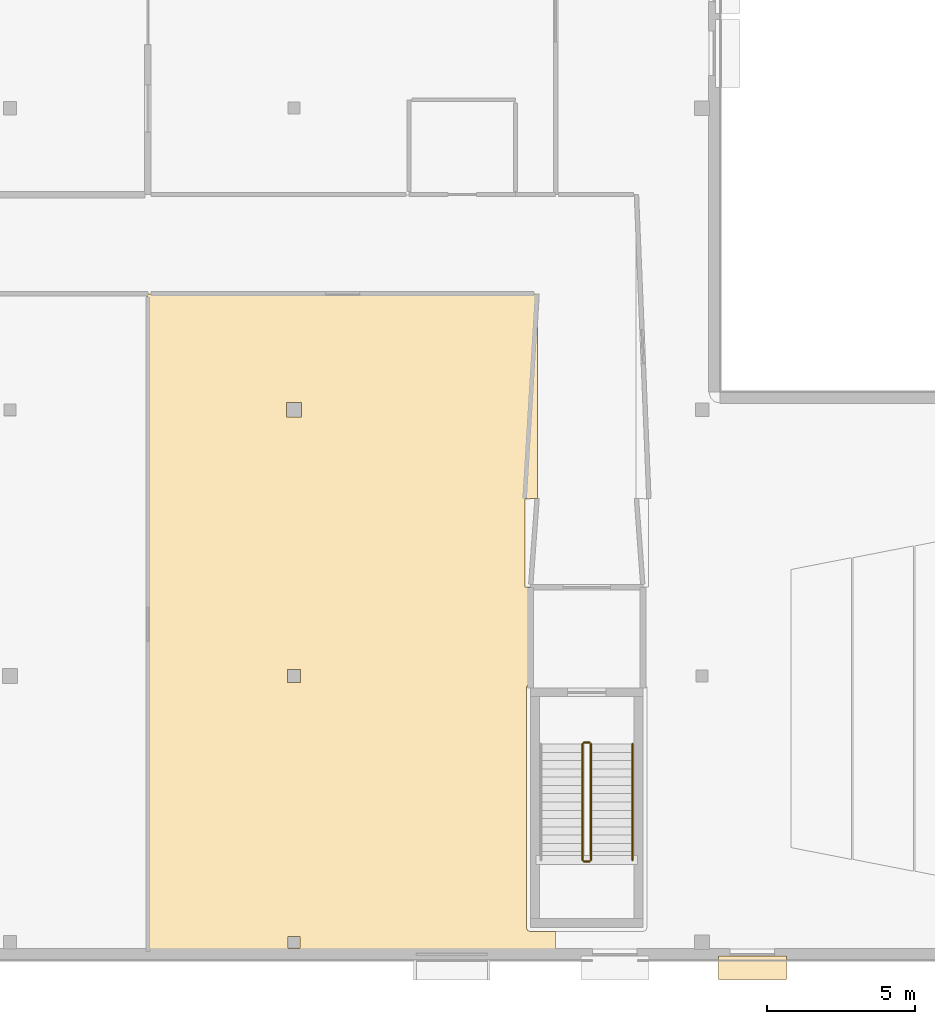
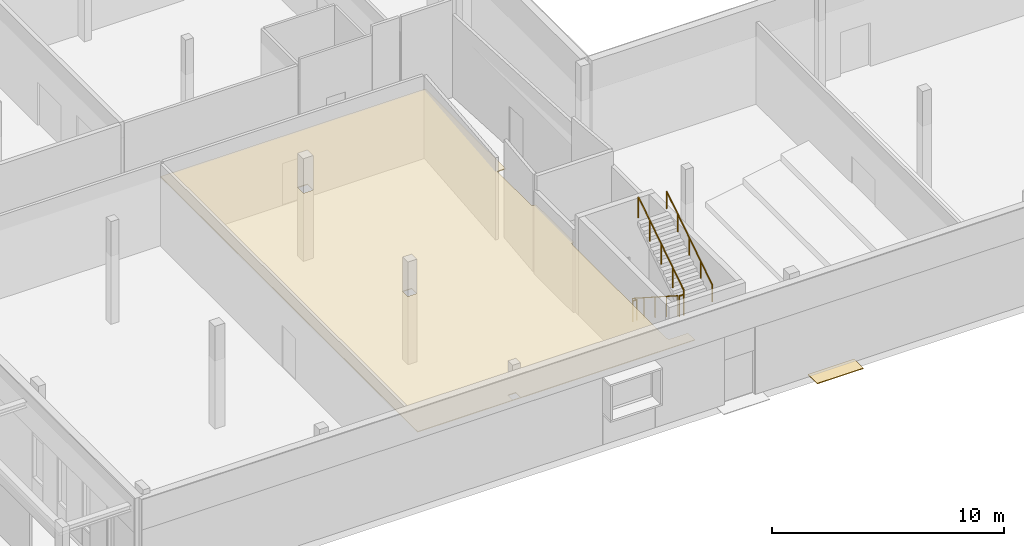
# One storey, part 78 of 84: 5 railings, 2 coverings.
"""IFC4 building model written with IfcOpenShell, lengths in metres."""

from ifc_helpers import new_model, si_unit, direction, frame, origin, origin_2d, place, context, subcontext, project, spatial, polyline, rectangle, circle, outline, extrude, material, layer, layer_set, type_object, element, save


model = new_model("IFC4")

# Units and contexts
model_context = context("Model", 3, precision=1e-05, world=origin(), true_north=direction((0.0, 1.0)))
body_context = subcontext(model_context, "Body", "Model", "MODEL_VIEW")
ifc_project = project(units=[si_unit("LENGTHUNIT", "METRE"), si_unit("AREAUNIT", "SQUARE_METRE"), si_unit("VOLUMEUNIT", "CUBIC_METRE"), si_unit("PLANEANGLEUNIT", "RADIAN"), si_unit("MASSUNIT", "GRAM", prefix="KILO")], contexts=[model_context])

# Site, building, storey
site_placement = place(None, origin())
site = spatial("IfcSite", under=ifc_project, at=site_placement, CompositionType="ELEMENT")
building_placement = place(site_placement, origin())
building = spatial("IfcBuilding", under=site, at=building_placement, Name="Mzevani Central Library", CompositionType="ELEMENT")
storey_placement = place(building_placement, origin())
storey = spatial("IfcBuildingStorey", under=building, at=storey_placement, Name="L00", CompositionType="ELEMENT", Elevation=0.0)

# Railings
ifc_material_1 = material(Name="Brushed stainless steel rail", Category="steel")
railing_type_1 = type_object("IfcRailingType", Name="Interior Gallery and Stair Guard 1100", PredefinedType="BALUSTRADE", material=ifc_material_1)
railing_1_placement = place(storey_placement, frame((140.949951171875, 11.300048828125, 0.179931640625)))
element("IfcRailing", 1, at=railing_1_placement, inside=storey, type_object=railing_type_1, Name="L00 ST-12 stair guard 1", PredefinedType="BALUSTRADE", context=body_context, shape_type="SweptSolid", body=[
    extrude(circle(Radius=0.02392578125, at=origin_2d()), frame((0.0, 0.0, 1.076171875), z_axis=(0.0, -0.841186985886, 0.540744352514), x_axis=(1.0, 0.0, 0.0)), (0.0, 0.0, 1.0), 4.660400390625),
    extrude(circle(Radius=0.02099609375, at=origin_2d()), origin(), (0.0, 0.0, 1.0), 1.052001953125),
    extrude(circle(Radius=0.02099609375, at=origin_2d()), frame((0.0, -0.97998046875, 0.6298828125)), (0.0, 0.0, 1.0), 1.052001953125),
    extrude(circle(Radius=0.02099609375, at=origin_2d()), frame((0.0, -1.9599609375, 1.260009765625)), (0.0, 0.0, 1.0), 1.052001953125),
    extrude(circle(Radius=0.02099609375, at=origin_2d()), frame((0.0, -2.940185546875, 1.89013671875)), (0.0, 0.0, 1.0), 1.052001953125),
    extrude(circle(Radius=0.02099609375, at=origin_2d()), frame((0.0, -3.920166015625, 2.52001953125)), (0.0, 0.0, 1.0), 1.052001953125),
])
railing_2_placement = place(storey_placement, frame((141.0, 7.330078125, 2.699951171875)))
element("IfcRailing", 2, at=railing_2_placement, inside=storey, type_object=railing_type_1, Name="L00 ST-12 stair guard 2", PredefinedType="BALUSTRADE", context=body_context, shape_type="SweptSolid", body=[
    extrude(circle(Radius=0.02392578125, at=origin_2d()), frame((0.0, 0.0, 1.076171875), z_axis=(1.0, 0.0, 0.0), x_axis=(0.0, 1.0, 0.0)), (0.0, 0.0, 1.0), 0.199951171875),
    extrude(circle(Radius=0.02099609375, at=origin_2d()), origin(), (0.0, 0.0, 1.0), 1.052001953125),
    extrude(circle(Radius=0.02099609375, at=origin_2d()), frame((0.199951171875, 0.0, 0.0)), (0.0, 0.0, 1.0), 1.052001953125),
])
railing_3_placement = place(storey_placement, frame((141.25, 7.3798828125, 2.8798828125)))
element("IfcRailing", 3, at=railing_3_placement, inside=storey, type_object=railing_type_1, Name="L00 ST-12 stair guard 3", PredefinedType="BALUSTRADE", context=body_context, shape_type="SweptSolid", body=[
    extrude(circle(Radius=0.02392578125, at=origin_2d()), frame((0.0, 0.0, 1.076171875), z_axis=(0.0, 0.841186985886, 0.540744352514), x_axis=(-1.0, 0.0, 0.0)), (0.0, 0.0, 1.0), 4.660400390625),
    extrude(circle(Radius=0.02099609375, at=origin_2d()), origin(), (0.0, 0.0, 1.0), 1.052001953125),
    extrude(circle(Radius=0.02099609375, at=origin_2d()), frame((0.0, 0.97998046875, 0.6298828125)), (0.0, 0.0, 1.0), 1.052001953125),
    extrude(circle(Radius=0.02099609375, at=origin_2d()), frame((0.0, 1.9599609375, 1.260009765625)), (0.0, 0.0, 1.0), 1.052001953125),
    extrude(circle(Radius=0.02099609375, at=origin_2d()), frame((0.0, 2.940185546875, 1.89013671875)), (0.0, 0.0, 1.0), 1.052001953125),
    extrude(circle(Radius=0.02099609375, at=origin_2d()), frame((0.0, 3.920166015625, 2.52001953125)), (0.0, 0.0, 1.0), 1.052001953125),
])
railing_4_placement = place(storey_placement, frame((141.0, 11.35009765625, 0.0)))
element("IfcRailing", 4, at=railing_4_placement, inside=storey, type_object=railing_type_1, Name="L00 ST-12 stair guard 4", PredefinedType="BALUSTRADE", context=body_context, shape_type="SweptSolid", body=[
    extrude(circle(Radius=0.02392578125, at=origin_2d()), frame((0.0, 0.0, 1.076171875), z_axis=(1.0, 0.0, 0.0), x_axis=(0.0, 1.0, 0.0)), (0.0, 0.0, 1.0), 0.199951171875),
    extrude(circle(Radius=0.02099609375, at=origin_2d()), origin(), (0.0, 0.0, 1.0), 1.052001953125),
    extrude(circle(Radius=0.02099609375, at=origin_2d()), frame((0.199951171875, 0.0, 0.0)), (0.0, 0.0, 1.0), 1.052001953125),
])

# Covering
ifc_material_2 = material(Name="Mineral wool acoustic ceiling")
ifc_layer_1 = layer(ifc_material_2, 0.0400390625, Name="Perforated Timber Acoustic Ceiling")
ifc_layer_set_1 = layer_set([ifc_layer_1], Name="Mineral wool acoustic ceiling")
covering_type_1 = type_object("IfcCoveringType", Name="Perforated Timber Acoustic Ceiling", PredefinedType="CEILING", material=ifc_layer_set_1)
covering_1_placement = place(storey_placement, frame((0.0, 0.0, 3.550048828125)))
element("IfcCovering", 5, at=covering_1_placement, inside=storey, type_object=covering_type_1, Name="L00 Family Quiet Nursing and Care Room Acoustic Ceiling", PredefinedType="CEILING", context=body_context, shape_type="SweptSolid", body=[
    extrude(outline(polyline([(139.429931640625, 26.52099609375), (139.429931640625, 19.59912109375), (139.010009765625, 19.590087890625), (139.010009765625, 16.610107421875), (139.2099609375, 16.60009765625), (139.2099609375, 13.35009765625), (139.1015625, 13.29833984375), (139.06005859375, 13.197998046875), (139.06005859375, 5.101806640625), (139.09228515625, 5.011474609375), (139.173583984375, 4.962890625), (140.0556640625, 4.958251953125), (140.058837890625, 4.375244140625), (126.26025390625, 4.37109375), (126.256103515625, 26.524658203125), (139.429931640625, 26.52099609375)]), holes=[polyline([(131.0, 4.39990234375), (131.39990234375, 4.39990234375), (131.39990234375, 4.800048828125), (131.0, 4.800048828125), (131.0, 4.39990234375)]), polyline([(130.97509765625, 13.824951171875), (130.97509765625, 13.375), (131.425048828125, 13.375), (131.425048828125, 13.824951171875), (130.97509765625, 13.824951171875)]), polyline([(131.449951171875, 22.85009765625), (130.949951171875, 22.85009765625), (130.949951171875, 22.35009765625), (131.449951171875, 22.35009765625), (131.449951171875, 22.85009765625)])]), origin(), (0.0, 0.0, 1.0), 0.0400390625),
])

# Railing
railing_type_2 = type_object("IfcRailingType", Name="Stair Wall Handrail 920", PredefinedType="HANDRAIL", material=ifc_material_1)
railing_5_placement = place(storey_placement, frame((142.64990234375, 7.3798828125, 2.8798828125)))
element("IfcRailing", 6, at=railing_5_placement, inside=storey, type_object=railing_type_2, Name="L00 ST-12 stair handrail 2", PredefinedType="HANDRAIL", context=body_context, shape_type="SweptSolid", body=[
    extrude(circle(Radius=0.02392578125, at=origin_2d()), frame((0.0, 0.0, 0.89599609375), z_axis=(0.0, 0.841186985886, 0.540744352514), x_axis=(-1.0, 0.0, 0.0)), (0.0, 0.0, 1.0), 4.660400390625),
    extrude(circle(Radius=0.02099609375, at=origin_2d()), origin(), (0.0, 0.0, 1.0), 0.871826171875),
    extrude(circle(Radius=0.02099609375, at=origin_2d()), frame((0.0, 0.97998046875, 0.6298828125)), (0.0, 0.0, 1.0), 0.871826171875),
    extrude(circle(Radius=0.02099609375, at=origin_2d()), frame((0.0, 1.9599609375, 1.260009765625)), (0.0, 0.0, 1.0), 0.871826171875),
    extrude(circle(Radius=0.02099609375, at=origin_2d()), frame((0.0, 2.940185546875, 1.89013671875)), (0.0, 0.0, 1.0), 0.871826171875),
    extrude(circle(Radius=0.02099609375, at=origin_2d()), frame((0.0, 3.920166015625, 2.52001953125)), (0.0, 0.0, 1.0), 0.871826171875),
])

# Covering
ifc_material_3 = material(Name="Terrazzo stone flooring", Category="masonry")
ifc_layer_2 = layer(ifc_material_3, 0.030029296875, Name="Terrazzo Stone Floor Finish")
ifc_layer_set_2 = layer_set([ifc_layer_2], Name="Terrazzo stone flooring")
covering_type_2 = type_object("IfcCoveringType", Name="Terrazzo Stone Floor Finish", PredefinedType="FLOORING", material=ifc_layer_set_2)
covering_2_placement = place(storey_placement, frame((146.699951171875, 3.739990234375, -0.0400390625), z_axis=(0.0, 0.0, 1.0), x_axis=(-1.0, 0.0, 0.0)))
element("IfcCovering", 7, at=covering_2_placement, inside=storey, type_object=covering_type_2, Name="L00 ST-12 Final Exit Discharge Apron", PredefinedType="FLOORING", context=body_context, shape_type="SweptSolid", body=[
    extrude(rectangle(XDim=2.300048828125, YDim=0.800048828125, at=origin_2d()), origin(), (0.0, 0.0, 1.0), 0.0400390625),
])

save(model, "model.ifc")
